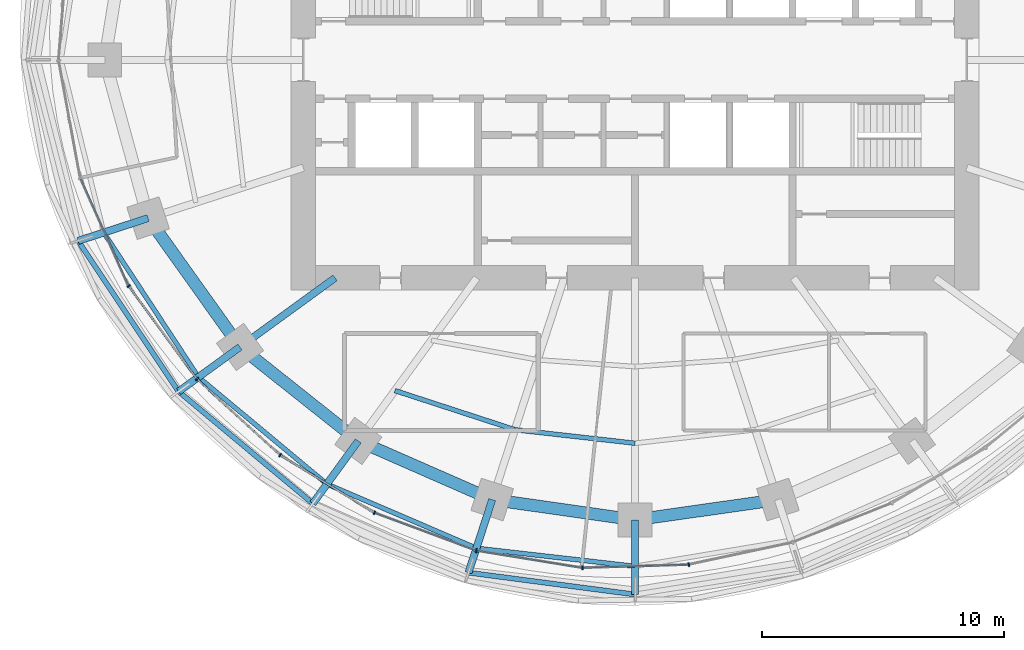
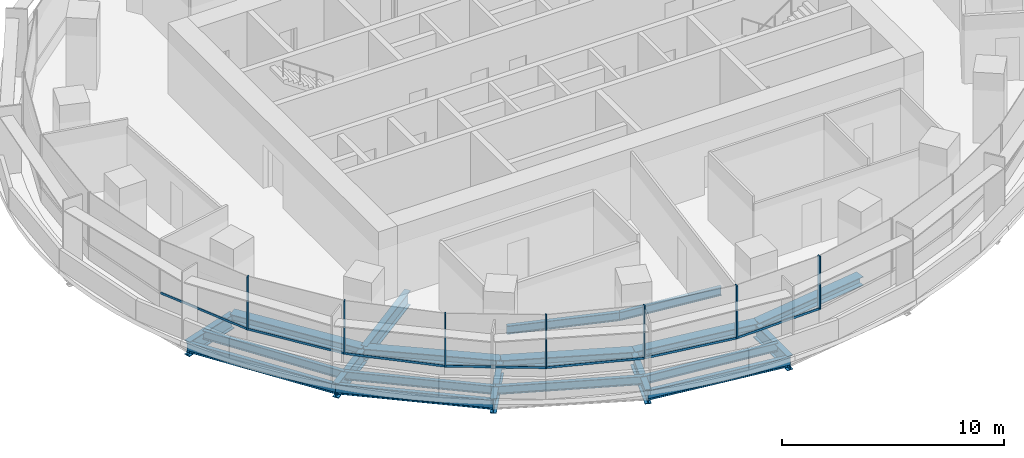
# One storey, part 2 of 17: 19 members, 15 beams, 2 elements without a shape of their own.
"""IFC4 building model written with IfcOpenShell, lengths in metres."""

from ifc_helpers import new_model, si_unit, direction, frame, origin, origin_2d, place, context, subcontext, project, spatial, rectangle, i_section, extrude, material, material_profile, profile_set, type_object, element, aggregate, save


model = new_model("IFC4")

# Units and contexts
model_context = context("Model", 3, precision=1e-05, world=origin(), true_north=direction((0.0, 1.0)))
body_context = subcontext(model_context, "Body", "Model", "MODEL_VIEW")
ifc_project = project(units=[si_unit("LENGTHUNIT", "METRE"), si_unit("AREAUNIT", "SQUARE_METRE"), si_unit("VOLUMEUNIT", "CUBIC_METRE"), si_unit("PLANEANGLEUNIT", "RADIAN"), si_unit("MASSUNIT", "GRAM", prefix="KILO")], contexts=[model_context])

# Site, building, storey
site_placement = place(None, origin())
site = spatial("IfcSite", under=ifc_project, at=site_placement, CompositionType="ELEMENT")
building_placement = place(site_placement, origin())
building = spatial("IfcBuilding", under=site, at=building_placement, Name="Marramba Exchange Tower", CompositionType="ELEMENT")
storey_placement = place(building_placement, frame((0.0, 0.0, 172.10009765625)))
storey = spatial("IfcBuildingStorey", under=building, at=storey_placement, Name="L41", CompositionType="ELEMENT", Elevation=172.10009765625)

# Members
ifc_material_1 = material(Name="Steel AS/NZS 3679.2 grade 300", Category="steel")
ifc_material_profile_1 = material_profile(ifc_material_1, i_section(OverallWidth=0.5, OverallDepth=0.48388671875, WebThickness=0.02490234375, FlangeThickness=0.031982421875, at=origin_2d()), Name="500WC340")
ifc_profile_set_1 = profile_set([ifc_material_profile_1], Name="Steel AS/NZS 3679.2 grade 300")
member_type_1 = type_object("IfcMemberType", Name="Belt truss chord 500WC340", PredefinedType="CHORD", material=ifc_profile_set_1)
member_1_placement = place(storey_placement, frame((-20.109375, -6.533935546875, -0.442138671875), z_axis=(0.580637181111, -0.814162430914, 0.0), x_axis=(0.814162430914, 0.580637181111, 0.0)))
element("IfcMember", 1, at=member_1_placement, inside=storey, type_object=member_type_1, Name="Belt chord L41 TC12-TC13", PredefinedType="CHORD", context=body_context, shape_type="SweptSolid", body=[
    extrude(i_section(OverallWidth=0.5, OverallDepth=0.48388671875, WebThickness=0.02490234375, FlangeThickness=0.031982421875, at=origin_2d()), origin(), (0.0, 0.0, 1.0), 6.5341796875),
])
member_2_placement = place(storey_placement, frame((-16.3154296875, -11.853759765625, -0.442138671875), z_axis=(0.783139438128, -0.621846138887, 0.0), x_axis=(0.621846138887, 0.783139438128, 0.0)))
element("IfcMember", 2, at=member_2_placement, inside=storey, type_object=member_type_1, Name="Belt chord L41 TC13-TC14", PredefinedType="CHORD", context=body_context, shape_type="SweptSolid", body=[
    extrude(i_section(OverallWidth=0.5, OverallDepth=0.48388671875, WebThickness=0.02490234375, FlangeThickness=0.031982421875, at=origin_2d()), origin(), (0.0, 0.0, 1.0), 6.23779296875),
])
member_3_placement = place(storey_placement, frame((-11.430419921875, -15.732666015625, -0.442138671875), z_axis=(0.915876892158, -0.4014592363, 0.0), x_axis=(0.4014592363, 0.915876892158, 0.0)))
element("IfcMember", 3, at=member_3_placement, inside=storey, type_object=member_type_1, Name="Belt chord L41 TC14-TC15", PredefinedType="CHORD", context=body_context, shape_type="SweptSolid", body=[
    extrude(i_section(OverallWidth=0.5, OverallDepth=0.48388671875, WebThickness=0.02490234375, FlangeThickness=0.031982421875, at=origin_2d()), origin(), (0.0, 0.0, 1.0), 6.038818359375),
])
for number, where, z_axis, x_axis, name in (
    (4, (-5.899658203125, -18.156982421875, -0.442138671875), (0.990036163016, -0.140813337152, 0.0), (0.140813337152, 0.990036163016, 0.0), "Belt chord L41 TC15-TC16"),
    (5, (0.0, -18.99609375, -0.442138671875), (0.990036163016, 0.140813337152, 0.0), (-0.140813337152, 0.990036163016, 0.0), "Belt chord L41 TC16-TC17"),
):
    element("IfcMember", number, at=place(storey_placement, frame(where, z_axis=z_axis, x_axis=x_axis)), inside=storey, type_object=member_type_1, Name=name, PredefinedType="CHORD", context=body_context, shape_type="SweptSolid", body=[
        extrude(i_section(OverallWidth=0.5, OverallDepth=0.48388671875, WebThickness=0.02490234375, FlangeThickness=0.031982421875, at=origin_2d()), origin(), (0.0, 0.0, 1.0), 5.958984375),
    ])

# Beams
ifc_material_profile_2 = material_profile(ifc_material_1, i_section(OverallWidth=0.300048828125, OverallDepth=0.800048828125, WebThickness=0.013916015625, FlangeThickness=0.031982421875, at=origin_2d()), Name="800WB192")
ifc_profile_set_2 = profile_set([ifc_material_profile_2], Name="Steel AS/NZS 3679.2 grade 300")
beam_type_1 = type_object("IfcBeamType", Name="Cantilever girder 800WB192", PredefinedType="BEAM", material=ifc_profile_set_2)
beam_1_placement = place(storey_placement, frame((-20.109375, -6.533935546875, -0.650146484375), z_axis=(-0.951070617775, -0.308973591113, 0.0), x_axis=(0.308973591113, -0.951070617775, 0.0)))
element("IfcBeam", 6, at=beam_1_placement, inside=storey, type_object=beam_type_1, Name="Cantilever girder L41 TC12", PredefinedType="BEAM", context=body_context, shape_type="SweptSolid", body=[
    extrude(i_section(OverallWidth=0.300048828125, OverallDepth=0.800048828125, WebThickness=0.013916015625, FlangeThickness=0.031982421875, at=origin_2d()), origin(), (0.0, 0.0, 1.0), 3.04296875),
])
beam_2_placement = place(storey_placement, frame((-16.3154296875, -11.853759765625, -0.650146484375), z_axis=(-0.809025813822, -0.587773113173, 0.0), x_axis=(0.587773113173, -0.809025813822, 0.0)))
element("IfcBeam", 7, at=beam_2_placement, inside=storey, type_object=beam_type_1, Name="Cantilever girder L41 TC13", PredefinedType="BEAM", context=body_context, shape_type="SweptSolid", body=[
    extrude(i_section(OverallWidth=0.300048828125, OverallDepth=0.800048828125, WebThickness=0.013916015625, FlangeThickness=0.031982421875, at=origin_2d()), origin(), (0.0, 0.0, 1.0), 3.132568359375),
])
beam_3_placement = place(storey_placement, frame((-11.430419921875, -15.732666015625, -0.650146484375), z_axis=(-0.587767308424, -0.809030031054, 0.0), x_axis=(0.809030031054, -0.587767308424, 0.0)))
element("IfcBeam", 8, at=beam_3_placement, inside=storey, type_object=beam_type_1, Name="Cantilever girder L41 TC14", PredefinedType="BEAM", context=body_context, shape_type="SweptSolid", body=[
    extrude(i_section(OverallWidth=0.300048828125, OverallDepth=0.800048828125, WebThickness=0.013916015625, FlangeThickness=0.031982421875, at=origin_2d()), origin(), (0.0, 0.0, 1.0), 3.195556640625),
])
beam_4_placement = place(storey_placement, frame((-5.899658203125, -18.156982421875, -0.650146484375), z_axis=(-0.309018232614, -0.951056113966, 0.0), x_axis=(0.951056113966, -0.309018232614, 0.0)))
element("IfcBeam", 9, at=beam_4_placement, inside=storey, type_object=beam_type_1, Name="Cantilever girder L41 TC15", PredefinedType="BEAM", context=body_context, shape_type="SweptSolid", body=[
    extrude(i_section(OverallWidth=0.300048828125, OverallDepth=0.800048828125, WebThickness=0.013916015625, FlangeThickness=0.031982421875, at=origin_2d()), origin(), (0.0, 0.0, 1.0), 3.173583984375),
])
beam_5_placement = place(storey_placement, frame((0.0, -18.99609375, -0.650146484375), z_axis=(0.0, -1.0, 0.0), x_axis=(1.0, 0.0, 0.0)))
element("IfcBeam", 10, at=beam_5_placement, inside=storey, type_object=beam_type_1, Name="Cantilever girder L41 TC16", PredefinedType="BEAM", context=body_context, shape_type="SweptSolid", body=[
    extrude(i_section(OverallWidth=0.300048828125, OverallDepth=0.800048828125, WebThickness=0.013916015625, FlangeThickness=0.031982421875, at=origin_2d()), origin(), (0.0, 0.0, 1.0), 3.080810546875),
])
ifc_material_2 = material(Name="Steel AS/NZS 3679.1 grade 300", Category="steel")
ifc_material_profile_3 = material_profile(ifc_material_2, i_section(OverallWidth=0.19091796875, OverallDepth=0.4599609375, WebThickness=0.010009765625, FlangeThickness=0.01611328125, FilletRadius=0.011474609375, at=origin_2d()), Name="460UB82.1")
ifc_profile_set_3 = profile_set([ifc_material_profile_3], Name="Steel AS/NZS 3679.1 grade 300")
beam_type_2 = type_object("IfcBeamType", Name="Floor joist 460UB82.1", PredefinedType="JOIST", material=ifc_profile_set_3)
beam_6_placement = place(storey_placement, frame((-9.9208984375, -13.655029296875, -0.43017578125), z_axis=(0.950764024931, -0.309915744834, 0.0), x_axis=(0.309915744834, 0.950764024931, 0.0)))
element("IfcBeam", 11, at=beam_6_placement, inside=storey, type_object=beam_type_2, Name="Joist L41 bay 14 row 2", PredefinedType="JOIST", context=body_context, shape_type="SweptSolid", body=[
    extrude(i_section(OverallWidth=0.19091796875, OverallDepth=0.4599609375, WebThickness=0.010009765625, FlangeThickness=0.01611328125, FilletRadius=0.011474609375, at=origin_2d()), origin(), (0.0, 0.0, 1.0), 5.2158203125),
])
beam_7_placement = place(storey_placement, frame((-4.9619140625, -15.271484375, -0.43017578125), z_axis=(0.993712018573, -0.111966174106, 0.0), x_axis=(0.111966174106, 0.993712018573, 0.0)))
element("IfcBeam", 12, at=beam_7_placement, inside=storey, type_object=beam_type_2, Name="Joist L41 bay 15 row 2", PredefinedType="JOIST", context=body_context, shape_type="SweptSolid", body=[
    extrude(i_section(OverallWidth=0.19091796875, OverallDepth=0.4599609375, WebThickness=0.010009765625, FlangeThickness=0.01611328125, FilletRadius=0.011474609375, at=origin_2d()), origin(), (0.0, 0.0, 1.0), 4.993408203125),
])

# Curtain wall, members
ifc_material_3 = material(Name="Aluminium framing, bronze anodised", Category="aluminium")
curtain_wall_type = type_object("IfcCurtainWallType", Name="Office ribbon curtain wall", PredefinedType="USERDEFINED", material=ifc_material_3)
curtain_wall_1_placement = place(storey_placement, origin())
curtain_wall_1 = element("IfcCurtainWall", 13, at=curtain_wall_1_placement, inside=storey, type_object=curtain_wall_type, Name="Curtain wall CW4 L41 F16-F20", ObjectType="RIBBON CURTAIN WALL", PredefinedType="USERDEFINED")
ifc_material_4 = material(Name="Aluminium mullion, bronze anodised", Category="aluminium")
ifc_material_profile_4 = material_profile(ifc_material_4, rectangle(XDim=0.159912109375, YDim=0.06005859375, at=origin_2d()), Name="CW4 mullion 60x160")
ifc_profile_set_4 = profile_set([ifc_material_profile_4], Name="Aluminium mullion, bronze anodised")
member_type_2 = type_object("IfcMemberType", Name="Office ribbon curtain wall mullion", PredefinedType="MULLION", material=ifc_profile_set_4)
member_4_placement = place(storey_placement, frame((-20.910400390625, -9.342041015625, 0.7998046875), z_axis=(0.0, 0.0, 1.0), x_axis=(0.806508054547, 0.591223103363, 0.0)))
member_4 = element("IfcMember", 14, at=member_4_placement, type_object=member_type_2, Name="CW4 mullion 1", PredefinedType="MULLION", context=body_context, shape_type="SweptSolid", body=[
    extrude(rectangle(XDim=0.159912109375, YDim=0.06005859375, at=origin_2d()), origin(), (0.0, 0.0, 1.0), 2.940185546875),
])
member_5_placement = place(storey_placement, frame((-18.090087890625, -13.179443359375, 0.7998046875), z_axis=(0.0, 0.0, 1.0), x_axis=(0.67567103474, 0.737203264245, 0.0)))
member_5 = element("IfcMember", 15, at=member_5_placement, type_object=member_type_2, Name="CW4 mullion 1", PredefinedType="MULLION", context=body_context, shape_type="SweptSolid", body=[
    extrude(rectangle(XDim=0.159912109375, YDim=0.06005859375, at=origin_2d()), origin(), (0.0, 0.0, 1.0), 2.940185546875),
])
member_6_placement = place(storey_placement, frame((-14.655029296875, -16.320068359375, 0.7998046875), z_axis=(0.0, 0.0, 1.0), x_axis=(0.52305160869, 0.85230101176, 0.0)))
member_6 = element("IfcMember", 16, at=member_6_placement, type_object=member_type_2, Name="CW4 mullion 1", PredefinedType="MULLION", context=body_context, shape_type="SweptSolid", body=[
    extrude(rectangle(XDim=0.159912109375, YDim=0.06005859375, at=origin_2d()), origin(), (0.0, 0.0, 1.0), 2.940185546875),
])

curtain_wall_2_placement = place(storey_placement, origin())
curtain_wall_2 = element("IfcCurtainWall", 17, at=curtain_wall_2_placement, inside=storey, type_object=curtain_wall_type, Name="Curtain wall CW4 L41 F21-F25", ObjectType="RIBBON CURTAIN WALL", PredefinedType="USERDEFINED")
member_7_placement = place(storey_placement, frame((-10.76318359375, -18.70166015625, 0.7998046875), z_axis=(0.0, 0.0, 1.0), x_axis=(0.349459197687, 0.936951583142, 0.0)))
member_7 = element("IfcMember", 18, at=member_7_placement, type_object=member_type_2, Name="CW4 mullion 1", PredefinedType="MULLION", context=body_context, shape_type="SweptSolid", body=[
    extrude(rectangle(XDim=0.159912109375, YDim=0.06005859375, at=origin_2d()), origin(), (0.0, 0.0, 1.0), 2.940185546875),
])
member_8_placement = place(storey_placement, frame((-6.553466796875, -20.265625, 0.7998046875), z_axis=(0.0, 0.0, 1.0), x_axis=(0.161145726194, 0.986930623159, 0.0)))
member_8 = element("IfcMember", 19, at=member_8_placement, type_object=member_type_2, Name="CW4 mullion 1", PredefinedType="MULLION", context=body_context, shape_type="SweptSolid", body=[
    extrude(rectangle(XDim=0.159912109375, YDim=0.06005859375, at=origin_2d()), origin(), (0.0, 0.0, 1.0), 2.940185546875),
])
member_9_placement = place(storey_placement, frame((-2.174560546875, -20.974853515625, 0.7998046875), z_axis=(0.0, 0.0, 1.0), x_axis=(-0.029393451762, 0.99956791915, 0.0)))
member_9 = element("IfcMember", 20, at=member_9_placement, type_object=member_type_2, Name="CW4 mullion 1", PredefinedType="MULLION", context=body_context, shape_type="SweptSolid", body=[
    extrude(rectangle(XDim=0.159912109375, YDim=0.06005859375, at=origin_2d()), origin(), (0.0, 0.0, 1.0), 2.940185546875),
])
member_10_placement = place(storey_placement, frame((2.220458984375, -20.840087890625, 0.7998046875), z_axis=(0.0, 0.0, 1.0), x_axis=(-0.208332456608, 0.978058069607, 0.0)))
member_10 = element("IfcMember", 21, at=member_10_placement, type_object=member_type_2, Name="CW4 mullion 1", PredefinedType="MULLION", context=body_context, shape_type="SweptSolid", body=[
    extrude(rectangle(XDim=0.159912109375, YDim=0.06005859375, at=origin_2d()), origin(), (0.0, 0.0, 1.0), 2.940185546875),
])

# Member
ifc_material_5 = material(Name="Aluminium transom, bronze anodised", Category="aluminium")
ifc_material_profile_5 = material_profile(ifc_material_5, rectangle(XDim=0.06005859375, YDim=0.1201171875, at=origin_2d()), Name="CW4 transom 60x120")
ifc_profile_set_5 = profile_set([ifc_material_profile_5], Name="Aluminium transom, bronze anodised")
member_type_3 = type_object("IfcMemberType", Name="Office ribbon curtain wall transom", PredefinedType="USERDEFINED", material=ifc_profile_set_5)
member_11_placement = place(storey_placement, frame((-22.888671875, -4.925048828125, 0.829833984375), z_axis=(0.407541263131, -0.913186792965, 0.0), x_axis=(0.913186792965, 0.407541263131, 0.0)))
member_11 = element("IfcMember", 22, at=member_11_placement, type_object=member_type_3, Name="CW4 sill transom", ObjectType="TRANSOM", PredefinedType="USERDEFINED", context=body_context, shape_type="SweptSolid", body=[
    extrude(rectangle(XDim=0.06005859375, YDim=0.1201171875, at=origin_2d()), origin(), (0.0, 0.0, 1.0), 4.810546875),
])

member_12_placement = place(storey_placement, frame((-20.892578125, -9.3662109375, 0.829833984375), z_axis=(0.591226373184, -0.806505657545, 0.0), x_axis=(0.806505657545, 0.591226373184, 0.0)))
member_12 = element("IfcMember", 23, at=member_12_placement, type_object=member_type_3, Name="CW4 sill transom", ObjectType="TRANSOM", PredefinedType="USERDEFINED", context=body_context, shape_type="SweptSolid", body=[
    extrude(rectangle(XDim=0.06005859375, YDim=0.1201171875, at=origin_2d()), origin(), (0.0, 0.0, 1.0), 4.702880859375),
])

member_13_placement = place(storey_placement, frame((-18.06787109375, -13.19970703125, 0.829833984375), z_axis=(0.737176195283, -0.675700567639, 0.0), x_axis=(0.675700567639, 0.737176195283, 0.0)))
member_13 = element("IfcMember", 24, at=member_13_placement, type_object=member_type_3, Name="CW4 sill transom", ObjectType="TRANSOM", PredefinedType="USERDEFINED", context=body_context, shape_type="SweptSolid", body=[
    extrude(rectangle(XDim=0.06005859375, YDim=0.1201171875, at=origin_2d()), origin(), (0.0, 0.0, 1.0), 4.5947265625),
])

member_14_placement = place(storey_placement, frame((-14.62939453125, -16.335693359375, 0.829833984375), z_axis=(0.852298011003, -0.523056498325, 0.0), x_axis=(0.523056498325, 0.852298011003, 0.0)))
member_14 = element("IfcMember", 25, at=member_14_placement, type_object=member_type_3, Name="CW4 sill transom", ObjectType="TRANSOM", PredefinedType="USERDEFINED", context=body_context, shape_type="SweptSolid", body=[
    extrude(rectangle(XDim=0.06005859375, YDim=0.1201171875, at=origin_2d()), origin(), (0.0, 0.0, 1.0), 4.503173828125),
])

aggregate(curtain_wall_1, [member_11, member_4, member_12, member_5, member_13, member_6, member_14])

member_15_placement = place(storey_placement, frame((-10.735107421875, -18.712158203125, 0.829833984375), z_axis=(0.936954830677, -0.349450490444, 0.0), x_axis=(0.349450490444, 0.936954830677, 0.0)))
member_15 = element("IfcMember", 26, at=member_15_placement, type_object=member_type_3, Name="CW4 sill transom", ObjectType="TRANSOM", PredefinedType="USERDEFINED", context=body_context, shape_type="SweptSolid", body=[
    extrude(rectangle(XDim=0.06005859375, YDim=0.1201171875, at=origin_2d()), origin(), (0.0, 0.0, 1.0), 4.431396484375),
])

member_16_placement = place(storey_placement, frame((-6.52392578125, -20.2705078125, 0.829833984375), z_axis=(0.986937225488, -0.161105285282, 0.0), x_axis=(0.161105285282, 0.986937225488, 0.0)))
member_16 = element("IfcMember", 27, at=member_16_placement, type_object=member_type_3, Name="CW4 sill transom", ObjectType="TRANSOM", PredefinedType="USERDEFINED", context=body_context, shape_type="SweptSolid", body=[
    extrude(rectangle(XDim=0.06005859375, YDim=0.1201171875, at=origin_2d()), origin(), (0.0, 0.0, 1.0), 4.37646484375),
])

member_17_placement = place(storey_placement, frame((-2.144775390625, -20.973876953125, 0.829833984375), z_axis=(0.999568338005, 0.029379204529, 0.0), x_axis=(-0.029379204529, 0.999568338005, 0.0)))
member_17 = element("IfcMember", 28, at=member_17_placement, type_object=member_type_3, Name="CW4 sill transom", ObjectType="TRANSOM", PredefinedType="USERDEFINED", context=body_context, shape_type="SweptSolid", body=[
    extrude(rectangle(XDim=0.06005859375, YDim=0.1201171875, at=origin_2d()), origin(), (0.0, 0.0, 1.0), 4.337890625),
])

aggregate(curtain_wall_2, [member_7, member_15, member_8, member_16, member_9, member_17, member_10])

# Beams
ifc_material_profile_6 = material_profile(ifc_material_1, i_section(OverallWidth=0.300048828125, OverallDepth=0.800048828125, WebThickness=0.013916015625, FlangeThickness=0.031982421875, at=origin_2d()), Name="800WB192")
ifc_profile_set_6 = profile_set([ifc_material_profile_6], Name="Steel AS/NZS 3679.2 grade 300")
beam_type_3 = type_object("IfcBeamType", Name="Radial girder 800WB192", PredefinedType="BEAM", material=ifc_profile_set_6)
beam_8_placement = place(storey_placement, frame((-12.387451171875, -9.0, -0.60009765625), z_axis=(-0.809025189606, -0.58777397236, 0.0), x_axis=(0.58777397236, -0.809025189606, 0.0)))
element("IfcBeam", 29, at=beam_8_placement, inside=storey, type_object=beam_type_3, Name="Radial girder L41 TC13", PredefinedType="BEAM", context=body_context, shape_type="SweptSolid", body=[
    extrude(i_section(OverallWidth=0.300048828125, OverallDepth=0.800048828125, WebThickness=0.013916015625, FlangeThickness=0.031982421875, at=origin_2d()), origin(), (0.0, 0.0, 1.0), 4.855224609375),
])
ifc_material_profile_7 = material_profile(ifc_material_2, i_section(OverallWidth=0.19091796875, OverallDepth=0.4599609375, WebThickness=0.010009765625, FlangeThickness=0.01611328125, FilletRadius=0.011474609375, at=origin_2d()), Name="460UB82.1")
ifc_profile_set_7 = profile_set([ifc_material_profile_7], Name="Steel AS/NZS 3679.1 grade 300")
beam_type_4 = type_object("IfcBeamType", Name="Slab edge beam 460UB82.1", PredefinedType="SPANDREL", material=ifc_profile_set_7)
beam_9_placement = place(storey_placement, frame((-21.9453125, -7.13037109375, -0.43017578125), z_axis=(0.548275412052, -0.83629783722, 0.0), x_axis=(0.83629783722, 0.548275412052, 0.0)))
element("IfcBeam", 30, at=beam_9_placement, inside=storey, type_object=beam_type_4, Name="Slab edge beam L41 TC12-TC13", PredefinedType="SPANDREL", context=body_context, shape_type="SweptSolid", body=[
    extrude(i_section(OverallWidth=0.19091796875, OverallDepth=0.4599609375, WebThickness=0.010009765625, FlangeThickness=0.01611328125, FilletRadius=0.011474609375, at=origin_2d()), origin(), (0.0, 0.0, 1.0), 7.138916015625),
])
beam_10_placement = place(storey_placement, frame((-18.03125, -13.1005859375, -0.43017578125), z_axis=(0.768658895231, -0.639658895649, 0.0), x_axis=(0.639658895649, 0.768658895231, 0.0)))
element("IfcBeam", 31, at=beam_10_placement, inside=storey, type_object=beam_type_4, Name="Slab edge beam L41 TC13-TC14", PredefinedType="SPANDREL", context=body_context, shape_type="SweptSolid", body=[
    extrude(i_section(OverallWidth=0.19091796875, OverallDepth=0.4599609375, WebThickness=0.010009765625, FlangeThickness=0.01611328125, FilletRadius=0.011474609375, at=origin_2d()), origin(), (0.0, 0.0, 1.0), 6.902099609375),
])
beam_11_placement = place(storey_placement, frame((-12.725830078125, -17.515625, -0.43017578125), z_axis=(0.9189117964, -0.394463065999, 0.0), x_axis=(0.394463065999, 0.9189117964, 0.0)))
element("IfcBeam", 32, at=beam_11_placement, inside=storey, type_object=beam_type_4, Name="Slab edge beam L41 TC14-TC15", PredefinedType="SPANDREL", context=body_context, shape_type="SweptSolid", body=[
    extrude(i_section(OverallWidth=0.19091796875, OverallDepth=0.4599609375, WebThickness=0.010009765625, FlangeThickness=0.01611328125, FilletRadius=0.011474609375, at=origin_2d()), origin(), (0.0, 0.0, 1.0), 6.71826171875),
])
beam_12_placement = place(storey_placement, frame((-6.55224609375, -20.165771484375, -0.43017578125), z_axis=(0.993546030009, -0.113429653325, 0.0), x_axis=(0.113429653325, 0.993546030009, 0.0)))
element("IfcBeam", 33, at=beam_12_placement, inside=storey, type_object=beam_type_4, Name="Slab edge beam L41 TC15-TC16", PredefinedType="SPANDREL", context=body_context, shape_type="SweptSolid", body=[
    extrude(i_section(OverallWidth=0.19091796875, OverallDepth=0.4599609375, WebThickness=0.010009765625, FlangeThickness=0.01611328125, FilletRadius=0.011474609375, at=origin_2d()), origin(), (0.0, 0.0, 1.0), 6.5947265625),
])
ifc_material_profile_8 = material_profile(ifc_material_2, i_section(OverallWidth=0.208984375, OverallDepth=0.528076171875, WebThickness=0.009521484375, FlangeThickness=0.01318359375, FilletRadius=0.013916015625, at=origin_2d()), Name="530UB82.0")
ifc_profile_set_8 = profile_set([ifc_material_profile_8], Name="Steel AS/NZS 3679.1 grade 300")
beam_type_5 = type_object("IfcBeamType", Name="Slab edge beam 530UB82.0", PredefinedType="SPANDREL", material=ifc_profile_set_8)
beam_13_placement = place(storey_placement, frame((-23.00341796875, -7.47412109375, -0.51416015625), z_axis=(0.555280023791, -0.831663450669, 0.0), x_axis=(0.831663450669, 0.555280023791, 0.0)))
element("IfcBeam", 34, at=beam_13_placement, inside=storey, type_object=beam_type_5, Name="Setback roof edge beam L41 TC12-TC13", PredefinedType="SPANDREL", context=body_context, shape_type="SweptSolid", body=[
    extrude(i_section(OverallWidth=0.208984375, OverallDepth=0.528076171875, WebThickness=0.009521484375, FlangeThickness=0.01318359375, FilletRadius=0.013916015625, at=origin_2d()), origin(), (0.0, 0.0, 1.0), 7.480224609375),
])
beam_14_placement = place(storey_placement, frame((-18.849853515625, -13.695068359375, -0.51416015625), z_axis=(0.767874532322, -0.640600267415, 0.0), x_axis=(0.640600267415, 0.767874532322, 0.0)))
element("IfcBeam", 35, at=beam_14_placement, inside=storey, type_object=beam_type_5, Name="Setback roof edge beam L41 TC13-TC14", PredefinedType="SPANDREL", context=body_context, shape_type="SweptSolid", body=[
    extrude(i_section(OverallWidth=0.208984375, OverallDepth=0.528076171875, WebThickness=0.009521484375, FlangeThickness=0.01318359375, FilletRadius=0.013916015625, at=origin_2d()), origin(), (0.0, 0.0, 1.0), 7.21630859375),
])
beam_15_placement = place(storey_placement, frame((-6.88037109375, -21.17529296875, -0.51416015625), z_axis=(0.991523133546, -0.129930272237, 0.0), x_axis=(0.129930272237, 0.991523133546, 0.0)))
element("IfcBeam", 36, at=beam_15_placement, inside=storey, type_object=beam_type_5, Name="Setback roof edge beam L41 TC15-TC16", PredefinedType="SPANDREL", context=body_context, shape_type="SweptSolid", body=[
    extrude(i_section(OverallWidth=0.208984375, OverallDepth=0.528076171875, WebThickness=0.009521484375, FlangeThickness=0.01318359375, FilletRadius=0.013916015625, at=origin_2d()), origin(), (0.0, 0.0, 1.0), 6.939208984375),
])

save(model, "model.ifc")
